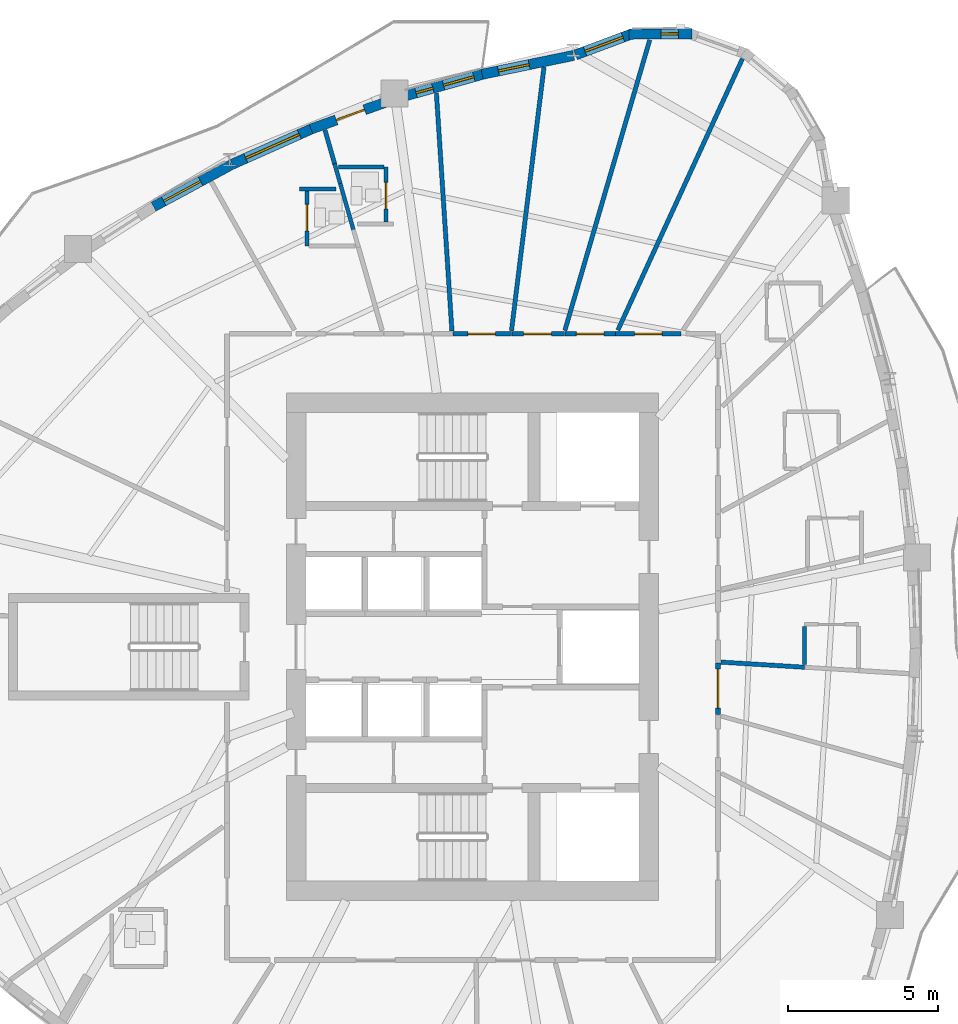
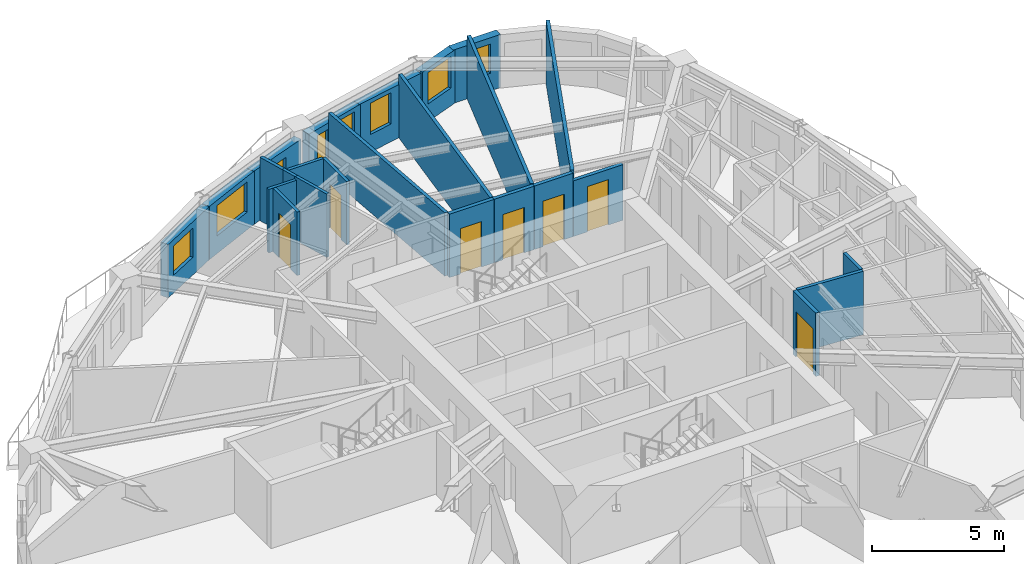
# One storey, part 9 of 17: 25 walls, 8 doors, 7 windows, 15 openings.
"""IFC4 building model written with IfcOpenShell, lengths in metres."""

from ifc_helpers import new_model, si_unit, direction, frame, frame_2d, origin, place, context, subcontext, project, spatial, rectangle, extrude, source, transform, mapped, material, layer, layer_set, type_object, element, fill, save


model = new_model("IFC4")

# Units and contexts
model_context = context("Model", 3, precision=1e-05, world=origin(), true_north=direction((0.0, 1.0)))
body_context = subcontext(model_context, "Body", "Model", "MODEL_VIEW")
ifc_project = project(units=[si_unit("LENGTHUNIT", "METRE"), si_unit("AREAUNIT", "SQUARE_METRE"), si_unit("VOLUMEUNIT", "CUBIC_METRE"), si_unit("PLANEANGLEUNIT", "RADIAN"), si_unit("MASSUNIT", "GRAM", prefix="KILO")], contexts=[model_context])

# Site, building, storey
site_placement = place(None, origin())
site = spatial("IfcSite", under=ifc_project, at=site_placement, CompositionType="ELEMENT")
building_placement = place(site_placement, origin())
building = spatial("IfcBuilding", under=site, at=building_placement, Name="Qafzar Sky-Pleat Residences", CompositionType="ELEMENT")
storey_placement = place(building_placement, frame((0.0, 0.0, 112.0)))
storey = spatial("IfcBuildingStorey", under=building, at=storey_placement, Name="L33", CompositionType="ELEMENT", Elevation=112.0)

# Wall, opening, door
ifc_material_1 = material(Name="Acoustic gypsum plasterboard partition", Category="gypsum")
ifc_layer_1 = layer(ifc_material_1, 0.159912109375)
ifc_layer_set_1 = layer_set([ifc_layer_1], Name="Acoustic gypsum plasterboard partition")
wall_type_1 = type_object("IfcWallType", Name="PART-COR-160", PredefinedType="PARTITIONING", material=ifc_layer_set_1)
wall_1_placement = place(storey_placement, frame((35.12109375, 36.429931640625, 0.0), z_axis=(0.0, 0.0, 1.0), x_axis=(1.0, 0.0, 0.0)))
wall_1 = element("IfcWall", 1, at=wall_1_placement, inside=storey, type_object=wall_type_1, Name="L33 Partition Wall PART-L33-PW-016", PredefinedType="PARTITIONING", context=body_context, shape_type="SweptSolid", body=[
    extrude(rectangle(XDim=2.178955078125, YDim=0.159912109375, at=frame_2d((1.08935546875, 0.0))), origin(), (0.0, 0.0, 1.0), 2.572998046875),
])
opening_1_placement = place(wall_1_placement, frame((0.62841796875, 0.0, 0.0)))
opening_1 = element("IfcOpeningElement", 2, at=opening_1_placement, cuts=wall_1, Name="Opening ID-04", PredefinedType="OPENING", context=body_context, shape_type="SweptSolid", body=[
    extrude(rectangle(XDim=0.919921875, YDim=2.10009765625, at=frame_2d((0.4599609375, 1.050048828125))), frame((0.0, 0.08984375, 0.0), z_axis=(0.0, -1.0, 0.0), x_axis=(1.0, 0.0, 0.0)), (0.0, 0.0, 1.0), 0.179931640625),
])
ifc_material_2 = material(Name="Timber-faced fire door", Category="wood")
door_type_1 = type_object("IfcDoorType", Name="DR-BED-920", OperationType="NOTDEFINED", PredefinedType="DOOR", material=ifc_material_2)
shared_shape_1 = source(origin(), body_context, "Body", "SweptSolid", [
    extrude(rectangle(XDim=0.919921875, YDim=2.10009765625, at=frame_2d((0.4599609375, 1.050048828125))), frame((0.0, 0.02490234375, 0.0), z_axis=(0.0, -1.0, 0.0), x_axis=(1.0, 0.0, 0.0)), (0.0, 0.0, 1.0), 0.050048828125),
])
door_1_placement = place(opening_1_placement, origin())
door_1 = element("IfcDoor", 3, at=door_1_placement, inside=storey, type_object=door_type_1, Name="L33 Co-Living Bedroom 2 Door", OperationType="SINGLE_SWING_LEFT", OverallHeight=2.10009765625, OverallWidth=0.919921875, PredefinedType="DOOR", context=body_context, shape_type="MappedRepresentation", body=[
    mapped(shared_shape_1, transform((0.0, 0.0, 0.0), x_axis=(1.0, 0.0, 0.0), y_axis=(0.0, 1.0, 0.0), z_axis=(0.0, 0.0, 1.0), scale=1.0)),
])
fill(opening_1, door_1)

wall_2_placement = place(storey_placement, frame((29.699951171875, 36.429931640625, 0.0), z_axis=(0.0, 0.0, 1.0), x_axis=(1.0, 0.0, 0.0)))
wall_2 = element("IfcWall", 4, at=wall_2_placement, inside=storey, type_object=wall_type_1, Name="L33 Partition Wall PART-L33-PW-018", PredefinedType="PARTITIONING", context=body_context, shape_type="SweptSolid", body=[
    extrude(rectangle(XDim=1.950927734375, YDim=0.159912109375, at=frame_2d((0.9755859375, 0.0))), origin(), (0.0, 0.0, 1.0), 2.93505859375),
])
opening_2_placement = place(wall_2_placement, frame((0.492919921875, 0.0, 0.0)))
opening_2 = element("IfcOpeningElement", 5, at=opening_2_placement, cuts=wall_2, Name="Opening ID-04", PredefinedType="OPENING", context=body_context, shape_type="SweptSolid", body=[
    extrude(rectangle(XDim=0.919921875, YDim=2.10009765625, at=frame_2d((0.4599609375, 1.050048828125))), frame((0.0, 0.08984375, 0.0), z_axis=(0.0, -1.0, 0.0), x_axis=(1.0, 0.0, 0.0)), (0.0, 0.0, 1.0), 0.179931640625),
])
door_2_placement = place(opening_2_placement, origin())
door_2 = element("IfcDoor", 6, at=door_2_placement, inside=storey, type_object=door_type_1, Name="L33 Co-Living Bedroom 3 Door", OperationType="SINGLE_SWING_RIGHT", OverallHeight=2.10009765625, OverallWidth=0.919921875, PredefinedType="DOOR", context=body_context, shape_type="MappedRepresentation", body=[
    mapped(shared_shape_1, transform((0.0, 0.0, 0.0), x_axis=(1.0, 0.0, 0.0), y_axis=(0.0, 1.0, 0.0), z_axis=(0.0, 0.0, 1.0), scale=1.0)),
])
fill(opening_2, door_2)

wall_3_placement = place(storey_placement, frame((31.666015625, 36.429931640625, 0.0), z_axis=(0.0, 0.0, 1.0), x_axis=(1.0, 0.0, 0.0)))
wall_3 = element("IfcWall", 7, at=wall_3_placement, inside=storey, type_object=wall_type_1, Name="L33 Partition Wall PART-L33-PW-028", PredefinedType="PARTITIONING", context=body_context, shape_type="SweptSolid", body=[
    extrude(rectangle(XDim=1.744873046875, YDim=0.159912109375, at=frame_2d((0.87255859375, 0.0))), origin(), (0.0, 0.0, 1.0), 2.93505859375),
])
opening_3_placement = place(wall_3_placement, frame((0.389404296875, 0.0, 0.0)))
opening_3 = element("IfcOpeningElement", 8, at=opening_3_placement, cuts=wall_3, Name="Opening ID-04", PredefinedType="OPENING", context=body_context, shape_type="SweptSolid", body=[
    extrude(rectangle(XDim=0.919921875, YDim=2.10009765625, at=frame_2d((0.4599609375, 1.050048828125))), frame((0.0, 0.08984375, 0.0), z_axis=(0.0, -1.0, 0.0), x_axis=(1.0, 0.0, 0.0)), (0.0, 0.0, 1.0), 0.179931640625),
])
door_3_placement = place(opening_3_placement, origin())
door_3 = element("IfcDoor", 9, at=door_3_placement, inside=storey, type_object=door_type_1, Name="L33 Co-Living Bedroom 4 Door", OperationType="SINGLE_SWING_RIGHT", OverallHeight=2.10009765625, OverallWidth=0.919921875, PredefinedType="DOOR", context=body_context, shape_type="MappedRepresentation", body=[
    mapped(shared_shape_1, transform((0.0, 0.0, 0.0), x_axis=(1.0, 0.0, 0.0), y_axis=(0.0, 1.0, 0.0), z_axis=(0.0, 0.0, 1.0), scale=1.0)),
])
fill(opening_3, door_3)

wall_4_placement = place(storey_placement, frame((38.530029296875, 25.468017578125, 0.0), z_axis=(0.0, 0.0, 1.0), x_axis=(0.0, -1.0, 0.0)))
wall_4 = element("IfcWall", 10, at=wall_4_placement, inside=storey, type_object=wall_type_1, Name="L33 Partition Wall PART-L33-PW-029", PredefinedType="PARTITIONING", context=body_context, shape_type="SweptSolid", body=[
    extrude(rectangle(XDim=1.716064453125, YDim=0.159912109375, at=frame_2d((0.85791015625, 0.0))), origin(), (0.0, 0.0, 1.0), 2.93505859375),
])
opening_4_placement = place(wall_4_placement, frame((0.20849609375, 0.0, 0.0)))
opening_4 = element("IfcOpeningElement", 11, at=opening_4_placement, cuts=wall_4, Name="Opening ID-05", PredefinedType="OPENING", context=body_context, shape_type="SweptSolid", body=[
    extrude(rectangle(XDim=1.300048828125, YDim=2.10009765625, at=frame_2d((0.64990234375, 1.050048828125))), frame((0.0, 0.08984375, 0.0), z_axis=(0.0, -1.0, 0.0), x_axis=(1.0, 0.0, 0.0)), (0.0, 0.0, 1.0), 0.179931640625),
])
door_type_2 = type_object("IfcDoorType", Name="DR-LNG-1300", OperationType="DOUBLE_DOOR_SINGLE_SWING", PredefinedType="DOOR", material=ifc_material_2)
shared_shape_2 = source(origin(), body_context, "Body", "SweptSolid", [
    extrude(rectangle(XDim=1.300048828125, YDim=2.10009765625, at=frame_2d((0.64990234375, 1.050048828125))), frame((0.0, 0.02490234375, 0.0), z_axis=(0.0, -1.0, 0.0), x_axis=(1.0, 0.0, 0.0)), (0.0, 0.0, 1.0), 0.050048828125),
])
door_4_placement = place(opening_4_placement, origin())
door_4 = element("IfcDoor", 12, at=door_4_placement, inside=storey, type_object=door_type_2, Name="L33 Scholar Study Room Door", OperationType="DOUBLE_DOOR_SINGLE_SWING", OverallHeight=2.10009765625, OverallWidth=1.300048828125, PredefinedType="DOOR", context=body_context, shape_type="MappedRepresentation", body=[
    mapped(shared_shape_2, transform((0.0, 0.0, 0.0), x_axis=(1.0, 0.0, 0.0), y_axis=(0.0, 1.0, 0.0), z_axis=(0.0, 0.0, 1.0), scale=1.0)),
])
fill(opening_4, door_4)

wall_5_placement = place(storey_placement, frame((33.426025390625, 36.429931640625, 0.0), z_axis=(0.0, 0.0, 1.0), x_axis=(1.0, 0.0, 0.0)))
wall_5 = element("IfcWall", 13, at=wall_5_placement, inside=storey, type_object=wall_type_1, Name="L33 Partition Wall PART-L33-PW-030", PredefinedType="PARTITIONING", context=body_context, shape_type="SweptSolid", body=[
    extrude(rectangle(XDim=1.679931640625, YDim=0.159912109375, at=frame_2d((0.83984375, 0.0))), origin(), (0.0, 0.0, 1.0), 2.93505859375),
])
opening_5_placement = place(wall_5_placement, frame((0.3798828125, 0.0, 0.0)))
opening_5 = element("IfcOpeningElement", 14, at=opening_5_placement, cuts=wall_5, Name="Opening ID-04", PredefinedType="OPENING", context=body_context, shape_type="SweptSolid", body=[
    extrude(rectangle(XDim=0.919921875, YDim=2.10009765625, at=frame_2d((0.4599609375, 1.050048828125))), frame((0.0, 0.08984375, 0.0), z_axis=(0.0, -1.0, 0.0), x_axis=(1.0, 0.0, 0.0)), (0.0, 0.0, 1.0), 0.179931640625),
])
door_5_placement = place(opening_5_placement, origin())
door_5 = element("IfcDoor", 15, at=door_5_placement, inside=storey, type_object=door_type_1, Name="L33 Co-Living Bedroom 1 Door", OperationType="SINGLE_SWING_LEFT", OverallHeight=2.10009765625, OverallWidth=0.919921875, PredefinedType="DOOR", context=body_context, shape_type="MappedRepresentation", body=[
    mapped(shared_shape_1, transform((0.0, 0.0, 0.0), x_axis=(1.0, 0.0, 0.0), y_axis=(0.0, 1.0, 0.0), z_axis=(0.0, 0.0, 1.0), scale=1.0)),
])
fill(opening_5, door_5)

# Walls
ifc_layer_2 = layer(ifc_material_1, 0.14501953125)
ifc_layer_set_2 = layer_set([ifc_layer_2], Name="Acoustic gypsum plasterboard partition")
wall_type_2 = type_object("IfcWallType", Name="PART-UNIT-145", PredefinedType="PARTITIONING", material=ifc_layer_set_2)
wall_6_placement = place(storey_placement, frame((33.426513671875, 36.5380859375, 0.0), z_axis=(0.0, 0.0, 1.0), x_axis=(0.280326379037, 0.959904745908, 0.0)))
element("IfcWall", 16, at=wall_6_placement, inside=storey, type_object=wall_type_2, Name="L33 Partition Wall PART-L33-PW-032", PredefinedType="PARTITIONING", context=body_context, shape_type="SweptSolid", body=[
    extrude(rectangle(XDim=10.081787109375, YDim=0.14501953125, at=frame_2d((5.041015625, 0.0))), origin(), (0.0, 0.0, 1.0), 2.93505859375),
])
wall_7_placement = place(storey_placement, frame((35.19091796875, 36.547607421875, 0.0), z_axis=(0.0, 0.0, 1.0), x_axis=(0.417154036681, 0.908835799075, 0.0)))
element("IfcWall", 17, at=wall_7_placement, inside=storey, type_object=wall_type_2, Name="L33 Partition Wall PART-L33-PW-033", PredefinedType="PARTITIONING", context=body_context, shape_type="SweptSolid", body=[
    extrude(rectangle(XDim=9.94873046875, YDim=0.14501953125, at=frame_2d((4.974365234375, 0.0))), origin(), (0.0, 0.0, 1.0), 2.93505859375),
])
wall_8_placement = place(storey_placement, frame((31.64794921875, 36.52685546875, 0.0), z_axis=(0.0, 0.0, 1.0), x_axis=(0.122371290087, 0.992484391496, 0.0)))
element("IfcWall", 18, at=wall_8_placement, inside=storey, type_object=wall_type_2, Name="L33 Partition Wall PART-L33-PW-035", PredefinedType="PARTITIONING", context=body_context, shape_type="SweptSolid", body=[
    extrude(rectangle(XDim=8.852294921875, YDim=0.14501953125, at=frame_2d((4.42626953125, 0.0))), origin(), (0.0, 0.0, 1.0), 2.93505859375),
])
wall_9_placement = place(storey_placement, frame((29.147216796875, 44.443603515625, 0.0), z_axis=(0.0, 0.0, 1.0), x_axis=(0.065112427166, -0.997877934333, 0.0)))
element("IfcWall", 19, at=wall_9_placement, inside=storey, type_object=wall_type_2, Name="L33 Partition Wall PART-L33-PW-039", PredefinedType="PARTITIONING", context=body_context, shape_type="SweptSolid", body=[
    extrude(rectangle(XDim=7.937744140625, YDim=0.14501953125, at=frame_2d((3.96875, 0.0))), origin(), (0.0, 0.0, 1.0), 2.93505859375),
])
wall_10_placement = place(storey_placement, frame((38.622314453125, 25.4921875, 0.0), z_axis=(0.0, 0.0, 1.0), x_axis=(0.998116736368, -0.061343138015, 0.0)))
element("IfcWall", 20, at=wall_10_placement, inside=storey, type_object=wall_type_2, Name="L33 Partition Wall PART-L33-PW-053", PredefinedType="PARTITIONING", context=body_context, shape_type="SweptSolid", body=[
    extrude(rectangle(XDim=2.7900390625, YDim=0.14501953125, at=frame_2d((1.39501953125, 0.0))), origin(), (0.0, 0.0, 1.0), 2.93505859375),
])
wall_11_placement = place(storey_placement, frame((25.433349609375, 43.221923828125, 0.0), z_axis=(0.0, 0.0, 1.0), x_axis=(0.274641170969, -0.961546788882, 0.0)))
element("IfcWall", 21, at=wall_11_placement, inside=storey, type_object=wall_type_2, Name="L33 Partition Wall PART-L33-PW-078", PredefinedType="PARTITIONING", context=body_context, shape_type="SweptSolid", body=[
    extrude(rectangle(XDim=1.2099609375, YDim=0.14501953125, at=frame_2d((0.60498046875, 0.0))), origin(), (0.0, 0.0, 1.0), 2.93505859375),
])

# Wall, opening, door
ifc_material_3 = material(Name="Moisture-resistant gypsum partition", Category="gypsum")
ifc_layer_3 = layer(ifc_material_3, 0.1298828125)
ifc_layer_set_3 = layer_set([ifc_layer_3], Name="Moisture-resistant gypsum partition")
wall_type_3 = type_object("IfcWallType", Name="PART-WET-130", PredefinedType="PARTITIONING", material=ifc_layer_set_3)
wall_12_placement = place(storey_placement, frame((24.8310546875, 41.177978515625, 0.0), z_axis=(0.0, 0.0, 1.0), x_axis=(0.0, -1.0, 0.0)))
wall_12 = element("IfcWall", 22, at=wall_12_placement, inside=storey, type_object=wall_type_3, Name="L33 Partition Wall PART-L33-PW-022", PredefinedType="PARTITIONING", context=body_context, shape_type="SweptSolid", body=[
    extrude(rectangle(XDim=1.826904296875, YDim=0.1298828125, at=frame_2d((0.91357421875, 0.0))), origin(), (0.0, 0.0, 1.0), 2.93505859375),
])
opening_6_placement = place(wall_12_placement, frame((0.43701171875, 0.0, 0.0)))
opening_6 = element("IfcOpeningElement", 23, at=opening_6_placement, cuts=wall_12, Name="Opening ID-07", PredefinedType="OPENING", context=body_context, shape_type="SweptSolid", body=[
    extrude(rectangle(XDim=0.8798828125, YDim=2.050048828125, at=frame_2d((0.43994140625, 1.02490234375))), frame((0.0, 0.074951171875, 0.0), z_axis=(0.0, -1.0, 0.0), x_axis=(1.0, 0.0, 0.0)), (0.0, 0.0, 1.0), 0.14990234375),
])
door_type_3 = type_object("IfcDoorType", Name="DR-WET-880", OperationType="NOTDEFINED", PredefinedType="DOOR", material=ifc_material_2)
shared_shape_3 = source(origin(), body_context, "Body", "SweptSolid", [
    extrude(rectangle(XDim=0.8798828125, YDim=2.050048828125, at=frame_2d((0.43994140625, 1.02490234375))), frame((0.0, 0.02490234375, 0.0), z_axis=(0.0, -1.0, 0.0), x_axis=(1.0, 0.0, 0.0)), (0.0, 0.0, 1.0), 0.050048828125),
])
door_6_placement = place(opening_6_placement, origin())
door_6 = element("IfcDoor", 24, at=door_6_placement, inside=storey, type_object=door_type_3, Name="L33 En-suite Bathroom 5 Door", OperationType="SINGLE_SWING_RIGHT", OverallHeight=2.050048828125, OverallWidth=0.8798828125, PredefinedType="DOOR", context=body_context, shape_type="MappedRepresentation", body=[
    mapped(shared_shape_3, transform((0.0, 0.0, 0.0), x_axis=(1.0, 0.0, 0.0), y_axis=(0.0, 1.0, 0.0), z_axis=(0.0, 0.0, 1.0), scale=1.0)),
])
fill(opening_6, door_6)

wall_13_placement = place(storey_placement, frame((27.469970703125, 40.154052734375, 0.0), z_axis=(0.0, 0.0, 1.0), x_axis=(0.0, 1.0, 0.0)))
wall_13 = element("IfcWall", 25, at=wall_13_placement, inside=storey, type_object=wall_type_3, Name="L33 Partition Wall PART-L33-PW-023", PredefinedType="PARTITIONING", context=body_context, shape_type="SweptSolid", body=[
    extrude(rectangle(XDim=1.826904296875, YDim=0.1298828125, at=frame_2d((0.91357421875, 0.0))), origin(), (0.0, 0.0, 1.0), 2.93505859375),
])
opening_7_placement = place(wall_13_placement, frame((0.43701171875, 0.0, 0.0)))
opening_7 = element("IfcOpeningElement", 26, at=opening_7_placement, cuts=wall_13, Name="Opening ID-07", PredefinedType="OPENING", context=body_context, shape_type="SweptSolid", body=[
    extrude(rectangle(XDim=0.8798828125, YDim=2.050048828125, at=frame_2d((0.43994140625, 1.02490234375))), frame((0.0, 0.074951171875, 0.0), z_axis=(0.0, -1.0, 0.0), x_axis=(1.0, 0.0, 0.0)), (0.0, 0.0, 1.0), 0.14990234375),
])
door_7_placement = place(opening_7_placement, origin())
door_7 = element("IfcDoor", 27, at=door_7_placement, inside=storey, type_object=door_type_3, Name="L33 En-suite Bathroom 6 Door", OperationType="SINGLE_SWING_LEFT", OverallHeight=2.050048828125, OverallWidth=0.8798828125, PredefinedType="DOOR", context=body_context, shape_type="MappedRepresentation", body=[
    mapped(shared_shape_3, transform((0.0, 0.0, 0.0), x_axis=(1.0, 0.0, 0.0), y_axis=(0.0, 1.0, 0.0), z_axis=(0.0, 0.0, 1.0), scale=1.0)),
])
fill(opening_7, door_7)

# Walls
wall_14_placement = place(storey_placement, frame((25.882080078125, 41.98095703125, 0.0), z_axis=(0.0, 0.0, 1.0), x_axis=(1.0, 0.0, 0.0)))
element("IfcWall", 28, at=wall_14_placement, inside=storey, type_object=wall_type_3, Name="L33 Partition Wall PART-L33-PW-068", PredefinedType="PARTITIONING", context=body_context, shape_type="SweptSolid", body=[
    extrude(rectangle(XDim=1.514892578125, YDim=0.1298828125, at=frame_2d((0.75732421875, 0.0))), origin(), (0.0, 0.0, 1.0), 2.93505859375),
])
wall_15_placement = place(storey_placement, frame((41.406982421875, 25.405517578125, 0.0), z_axis=(0.0, 0.0, 1.0), x_axis=(0.0, 1.0, 0.0)))
element("IfcWall", 29, at=wall_15_placement, inside=storey, type_object=wall_type_3, Name="L33 Partition Wall PART-L33-PW-074", PredefinedType="PARTITIONING", context=body_context, shape_type="SweptSolid", body=[
    extrude(rectangle(XDim=1.2744140625, YDim=0.1298828125, at=frame_2d((0.63720703125, 0.0))), origin(), (0.0, 0.0, 1.0), 2.93505859375),
])
wall_16_placement = place(storey_placement, frame((25.93017578125, 41.481689453125, 0.0), z_axis=(0.0, 0.0, 1.0), x_axis=(0.274344452215, -0.961631489469, 0.0)))
element("IfcWall", 30, at=wall_16_placement, inside=storey, type_object=wall_type_3, Name="L33 Partition Wall PART-L33-PW-080", PredefinedType="PARTITIONING", context=body_context, shape_type="SweptSolid", body=[
    extrude(rectangle(XDim=1.712158203125, YDim=0.1298828125, at=frame_2d((0.85595703125, 0.0))), origin(), (0.0, 0.0, 1.0), 2.93505859375),
])
wall_17_placement = place(storey_placement, frame((24.591064453125, 41.2509765625, 0.0), z_axis=(0.0, 0.0, 1.0), x_axis=(1.0, 0.0, 0.0)))
element("IfcWall", 31, at=wall_17_placement, inside=storey, type_object=wall_type_3, Name="L33 Partition Wall PART-L33-PW-084", PredefinedType="PARTITIONING", context=body_context, shape_type="SweptSolid", body=[
    extrude(rectangle(XDim=1.21484375, YDim=0.1298828125, at=frame_2d((0.607421875, 0.0))), origin(), (0.0, 0.0, 1.0), 2.93505859375),
])
wall_18_placement = place(storey_placement, frame((25.754638671875, 42.09912109375, 0.0), z_axis=(0.0, 0.0, 1.0), x_axis=(0.273881956808, -0.961763314821, 0.0)))
element("IfcWall", 32, at=wall_18_placement, inside=storey, type_object=wall_type_3, Name="L33 Partition Wall PART-L33-PW-090", PredefinedType="PARTITIONING", context=body_context, shape_type="SweptSolid", body=[
    extrude(rectangle(XDim=0.691650390625, YDim=0.1298828125, at=frame_2d((0.345703125, 0.0))), origin(), (0.0, 0.0, 1.0), 2.93505859375),
])

# Wall, opening, window
ifc_material_4 = material(Name="Precast concrete C40/50 with honed Riyadh limestone", Category="concrete")
ifc_layer_4 = layer(ifc_material_4, 0.340087890625)
ifc_layer_set_4 = layer_set([ifc_layer_4], Name="Precast concrete C40/50 with honed Riyadh limestone")
wall_type_4 = type_object("IfcWallType", Name="WALL-EXT-340", PredefinedType="SOLIDWALL", material=ifc_layer_set_4)
wall_19_placement = place(storey_placement, frame((37.66162109375, 46.423583984375, 0.0), z_axis=(0.0, 0.0, 1.0), x_axis=(-0.999976456891, -0.00686189939, 0.0)))
wall_19 = element("IfcWall", 33, at=wall_19_placement, inside=storey, type_object=wall_type_4, Name="L33 Limestone Facade Wall 37", PredefinedType="SOLIDWALL", context=body_context, shape_type="SweptSolid", body=[
    extrude(rectangle(XDim=2.09912109375, YDim=0.340087890625, at=frame_2d((1.049560546875, 0.0))), origin(), (0.0, 0.0, 1.0), 2.465087890625),
])
opening_8_placement = place(wall_19_placement, frame((0.45751953125, 0.0, 0.820068359375)))
opening_8 = element("IfcOpeningElement", 34, at=opening_8_placement, cuts=wall_19, Name="Opening WN-17", PredefinedType="OPENING", context=body_context, shape_type="SweptSolid", body=[
    extrude(rectangle(XDim=0.580078125, YDim=1.35009765625, at=frame_2d((0.2900390625, 0.675048828125))), frame((0.0, 0.18017578125, 0.0), z_axis=(0.0, -1.0, 0.0), x_axis=(1.0, 0.0, 0.0)), (0.0, 0.0, 1.0), 0.360107421875),
])
ifc_material_5 = material(Name="Solar-control low-E glass in bronze aluminium frame", Category="glass")
window_type_1 = type_object("IfcWindowType", Name="WIN-17", PartitioningType="SINGLE_PANEL", PredefinedType="WINDOW", material=ifc_material_5)
shared_shape_4 = source(origin(), body_context, "Body", "SweptSolid", [
    extrude(rectangle(XDim=0.580078125, YDim=1.35009765625, at=frame_2d((0.2900390625, 0.675048828125))), frame((0.0, 0.030029296875, 0.0), z_axis=(0.0, -1.0, 0.0), x_axis=(1.0, 0.0, 0.0)), (0.0, 0.0, 1.0), 0.06005859375),
])
window_1_placement = place(opening_8_placement, origin())
window_1 = element("IfcWindow", 35, at=window_1_placement, inside=storey, type_object=window_type_1, Name="L33 Punched Facade Window 37", OverallHeight=1.35009765625, OverallWidth=0.580078125, PartitioningType="SINGLE_PANEL", PredefinedType="WINDOW", context=body_context, shape_type="MappedRepresentation", body=[
    mapped(shared_shape_4, transform((0.0, 0.0, 0.0), x_axis=(1.0, 0.0, 0.0), y_axis=(0.0, 1.0, 0.0), z_axis=(0.0, 0.0, 1.0), scale=1.0)),
])
fill(opening_8, window_1)

wall_20_placement = place(storey_placement, frame((35.694580078125, 46.43359375, 0.0), z_axis=(0.0, 0.0, 1.0), x_axis=(-0.9368002254, -0.349864741994, 0.0)))
wall_20 = element("IfcWall", 36, at=wall_20_placement, inside=storey, type_object=wall_type_4, Name="L33 Limestone Facade Wall 38", PredefinedType="SOLIDWALL", context=body_context, shape_type="SweptSolid", body=[
    extrude(rectangle(XDim=2.041015625, YDim=0.340087890625, at=frame_2d((1.0205078125, 0.0))), origin(), (0.0, 0.0, 1.0), 2.465087890625),
])
opening_9_placement = place(wall_20_placement, frame((0.35546875, 0.0, 0.820068359375)))
opening_9 = element("IfcOpeningElement", 37, at=opening_9_placement, cuts=wall_20, Name="Opening WN-04", PredefinedType="OPENING", context=body_context, shape_type="SweptSolid", body=[
    extrude(rectangle(XDim=1.35009765625, YDim=1.449951171875, at=frame_2d((0.675048828125, 0.72509765625))), frame((0.0, 0.18017578125, 0.0), z_axis=(0.0, -1.0, 0.0), x_axis=(1.0, 0.0, 0.0)), (0.0, 0.0, 1.0), 0.360107421875),
])
window_type_2 = type_object("IfcWindowType", Name="WIN-04", PartitioningType="SINGLE_PANEL", PredefinedType="WINDOW", material=ifc_material_5)
shared_shape_5 = source(origin(), body_context, "Body", "SweptSolid", [
    extrude(rectangle(XDim=1.35009765625, YDim=1.449951171875, at=frame_2d((0.675048828125, 0.72509765625))), frame((0.0, 0.030029296875, 0.0), z_axis=(0.0, -1.0, 0.0), x_axis=(1.0, 0.0, 0.0)), (0.0, 0.0, 1.0), 0.06005859375),
])
window_2_placement = place(opening_9_placement, origin())
window_2 = element("IfcWindow", 38, at=window_2_placement, inside=storey, type_object=window_type_2, Name="L33 Punched Facade Window 38", OverallHeight=1.449951171875, OverallWidth=1.35009765625, PartitioningType="SINGLE_PANEL", PredefinedType="WINDOW", context=body_context, shape_type="MappedRepresentation", body=[
    mapped(shared_shape_5, transform((0.0, 0.0, 0.0), x_axis=(1.0, 0.0, 0.0), y_axis=(0.0, 1.0, 0.0), z_axis=(0.0, 0.0, 1.0), scale=1.0)),
])
fill(opening_9, window_2)

wall_21_placement = place(storey_placement, frame((33.718994140625, 45.701171875, 0.0), z_axis=(0.0, 0.0, 1.0), x_axis=(-0.979417849231, -0.201843198072, 0.0)))
wall_21 = element("IfcWall", 39, at=wall_21_placement, inside=storey, type_object=wall_type_4, Name="L33 Limestone Facade Wall 39", PredefinedType="SOLIDWALL", context=body_context, shape_type="SweptSolid", body=[
    extrude(rectangle(XDim=3.11328125, YDim=0.340087890625, at=frame_2d((1.556640625, 0.0))), origin(), (0.0, 0.0, 1.0), 2.465087890625),
])
opening_10_placement = place(wall_21_placement, frame((1.510986328125, 0.0, 0.820068359375)))
opening_10 = element("IfcOpeningElement", 40, at=opening_10_placement, cuts=wall_21, Name="Opening WN-06", PredefinedType="OPENING", context=body_context, shape_type="SweptSolid", body=[
    extrude(rectangle(XDim=1.050048828125, YDim=1.449951171875, at=frame_2d((0.52490234375, 0.72509765625))), frame((0.0, 0.18017578125, 0.0), z_axis=(0.0, -1.0, 0.0), x_axis=(1.0, 0.0, 0.0)), (0.0, 0.0, 1.0), 0.360107421875),
])
window_type_3 = type_object("IfcWindowType", Name="WIN-06", PartitioningType="SINGLE_PANEL", PredefinedType="WINDOW", material=ifc_material_5)
shared_shape_6 = source(origin(), body_context, "Body", "SweptSolid", [
    extrude(rectangle(XDim=1.050048828125, YDim=1.449951171875, at=frame_2d((0.52490234375, 0.72509765625))), frame((0.0, 0.030029296875, 0.0), z_axis=(0.0, -1.0, 0.0), x_axis=(1.0, 0.0, 0.0)), (0.0, 0.0, 1.0), 0.06005859375),
])
window_3_placement = place(opening_10_placement, origin())
window_3 = element("IfcWindow", 41, at=window_3_placement, inside=storey, type_object=window_type_3, Name="L33 Punched Facade Window 39-2", OverallHeight=1.449951171875, OverallWidth=1.050048828125, PartitioningType="SINGLE_PANEL", PredefinedType="WINDOW", context=body_context, shape_type="MappedRepresentation", body=[
    mapped(shared_shape_6, transform((0.0, 0.0, 0.0), x_axis=(1.0, 0.0, 0.0), y_axis=(0.0, 1.0, 0.0), z_axis=(0.0, 0.0, 1.0), scale=1.0)),
])
fill(opening_10, window_3)

# Wall, openings, windows
wall_22_placement = place(storey_placement, frame((30.7548828125, 45.093505859375, 0.0), z_axis=(0.0, 0.0, 1.0), x_axis=(-0.963040794714, -0.269355578589, 0.0)))
wall_22 = element("IfcWall", 42, at=wall_22_placement, inside=storey, type_object=wall_type_4, Name="L33 Limestone Facade Wall 40", PredefinedType="SOLIDWALL", context=body_context, shape_type="SweptSolid", body=[
    extrude(rectangle(XDim=2.8388671875, YDim=0.340087890625, at=frame_2d((1.41943359375, 0.0))), origin(), (0.0, 0.0, 1.0), 2.465087890625),
])
opening_11_placement = place(wall_22_placement, frame((0.373046875, 0.0, 0.820068359375)))
opening_11 = element("IfcOpeningElement", 43, at=opening_11_placement, cuts=wall_22, Name="Opening WN-06", PredefinedType="OPENING", context=body_context, shape_type="SweptSolid", body=[
    extrude(rectangle(XDim=1.050048828125, YDim=1.449951171875, at=frame_2d((0.52490234375, 0.72509765625))), frame((0.0, 0.18017578125, 0.0), z_axis=(0.0, -1.0, 0.0), x_axis=(1.0, 0.0, 0.0)), (0.0, 0.0, 1.0), 0.360107421875),
])
opening_12_placement = place(wall_22_placement, frame((1.79248046875, 0.0, 0.820068359375)))
opening_12 = element("IfcOpeningElement", 44, at=opening_12_placement, cuts=wall_22, Name="Opening WN-17", PredefinedType="OPENING", context=body_context, shape_type="SweptSolid", body=[
    extrude(rectangle(XDim=0.580078125, YDim=1.35009765625, at=frame_2d((0.2900390625, 0.675048828125))), frame((0.0, 0.18017578125, 0.0), z_axis=(0.0, -1.0, 0.0), x_axis=(1.0, 0.0, 0.0)), (0.0, 0.0, 1.0), 0.360107421875),
])
window_4_placement = place(opening_12_placement, origin())
window_4 = element("IfcWindow", 45, at=window_4_placement, inside=storey, type_object=window_type_1, Name="L33 Punched Facade Window 40-2", OverallHeight=1.35009765625, OverallWidth=0.580078125, PartitioningType="SINGLE_PANEL", PredefinedType="WINDOW", context=body_context, shape_type="MappedRepresentation", body=[
    mapped(shared_shape_4, transform((0.0, 0.0, 0.0), x_axis=(1.0, 0.0, 0.0), y_axis=(0.0, 1.0, 0.0), z_axis=(0.0, 0.0, 1.0), scale=1.0)),
])
fill(opening_12, window_4)
window_5_placement = place(opening_11_placement, origin())
window_5 = element("IfcWindow", 46, at=window_5_placement, inside=storey, type_object=window_type_3, Name="L33 Punched Facade Window 40", OverallHeight=1.449951171875, OverallWidth=1.050048828125, PartitioningType="SINGLE_PANEL", PredefinedType="WINDOW", context=body_context, shape_type="MappedRepresentation", body=[
    mapped(shared_shape_6, transform((0.0, 0.0, 0.0), x_axis=(1.0, 0.0, 0.0), y_axis=(0.0, 1.0, 0.0), z_axis=(0.0, 0.0, 1.0), scale=1.0)),
])
fill(opening_11, window_5)

# Wall, opening, door
wall_23_placement = place(storey_placement, frame((27.5947265625, 44.19287109375, 0.0), z_axis=(0.0, 0.0, 1.0), x_axis=(-0.94107471628, -0.338198726163, 0.0)))
wall_23 = element("IfcWall", 47, at=wall_23_placement, inside=storey, type_object=wall_type_4, Name="L33 Limestone Facade Wall 41", PredefinedType="SOLIDWALL", context=body_context, shape_type="SweptSolid", body=[
    extrude(rectangle(XDim=2.789306640625, YDim=0.340087890625, at=frame_2d((1.39453125, 0.0))), origin(), (0.0, 0.0, 1.0), 2.465087890625),
])
opening_13_placement = place(wall_23_placement, frame((0.894775390625, 0.0, 0.0)))
opening_13 = element("IfcOpeningElement", 48, at=opening_13_placement, cuts=wall_23, Name="Opening ED-05", PredefinedType="OPENING", context=body_context, shape_type="SweptSolid", body=[
    extrude(rectangle(XDim=1.0, YDim=2.10009765625, at=frame_2d((0.5, 1.050048828125))), frame((0.0, 0.18017578125, 0.0), z_axis=(0.0, -1.0, 0.0), x_axis=(1.0, 0.0, 0.0)), (0.0, 0.0, 1.0), 0.360107421875),
])
ifc_material_6 = material(Name="Glazed bronze aluminium door", Category="aluminium")
door_type_4 = type_object("IfcDoorType", Name="DR-BAL-1000", OperationType="NOTDEFINED", PredefinedType="DOOR", material=ifc_material_6)
shared_shape_7 = source(origin(), body_context, "Body", "SweptSolid", [
    extrude(rectangle(XDim=1.0, YDim=2.10009765625, at=frame_2d((0.5, 1.050048828125))), frame((0.0, 0.02490234375, 0.0), z_axis=(0.0, -1.0, 0.0), x_axis=(1.0, 0.0, 0.0)), (0.0, 0.0, 1.0), 0.050048828125),
])
door_8_placement = place(opening_13_placement, origin())
door_8 = element("IfcDoor", 49, at=door_8_placement, inside=storey, type_object=door_type_4, Name="L33 Glazed Balcony Door 2", OperationType="SINGLE_SWING_LEFT", OverallHeight=2.10009765625, OverallWidth=1.0, PredefinedType="DOOR", context=body_context, shape_type="MappedRepresentation", body=[
    mapped(shared_shape_7, transform((0.0, 0.0, 0.0), x_axis=(1.0, 0.0, 0.0), y_axis=(0.0, 1.0, 0.0), z_axis=(0.0, 0.0, 1.0), scale=1.0)),
])
fill(opening_13, door_8)

# Wall, opening, window
wall_24_placement = place(storey_placement, frame((25.052001953125, 43.28271484375, 0.0), z_axis=(0.0, 0.0, 1.0), x_axis=(-0.913400340023, -0.407062426227, 0.0)))
wall_24 = element("IfcWall", 50, at=wall_24_placement, inside=storey, type_object=wall_type_4, Name="L33 Limestone Facade Wall 42", PredefinedType="SOLIDWALL", context=body_context, shape_type="SweptSolid", body=[
    extrude(rectangle(XDim=2.9658203125, YDim=0.340087890625, at=frame_2d((1.48291015625, 0.0))), origin(), (0.0, 0.0, 1.0), 2.465087890625),
])
opening_14_placement = place(wall_24_placement, frame((0.517822265625, 0.0, 0.820068359375)))
opening_14 = element("IfcOpeningElement", 51, at=opening_14_placement, cuts=wall_24, Name="Opening WN-08", PredefinedType="OPENING", context=body_context, shape_type="SweptSolid", body=[
    extrude(rectangle(XDim=1.949951171875, YDim=1.39990234375, at=frame_2d((0.97509765625, 0.699951171875))), frame((0.0, 0.18017578125, 0.0), z_axis=(0.0, -1.0, 0.0), x_axis=(1.0, 0.0, 0.0)), (0.0, 0.0, 1.0), 0.360107421875),
])
window_type_4 = type_object("IfcWindowType", Name="WIN-08", PartitioningType="DOUBLE_PANEL_VERTICAL", PredefinedType="WINDOW", material=ifc_material_5)
shared_shape_8 = source(origin(), body_context, "Body", "SweptSolid", [
    extrude(rectangle(XDim=1.949951171875, YDim=1.39990234375, at=frame_2d((0.97509765625, 0.699951171875))), frame((0.0, 0.030029296875, 0.0), z_axis=(0.0, -1.0, 0.0), x_axis=(1.0, 0.0, 0.0)), (0.0, 0.0, 1.0), 0.06005859375),
])
window_6_placement = place(opening_14_placement, origin())
window_6 = element("IfcWindow", 52, at=window_6_placement, inside=storey, type_object=window_type_4, Name="L33 Punched Facade Window 42", OverallHeight=1.39990234375, OverallWidth=1.949951171875, PartitioningType="SINGLE_PANEL", PredefinedType="WINDOW", context=body_context, shape_type="MappedRepresentation", body=[
    mapped(shared_shape_8, transform((0.0, 0.0, 0.0), x_axis=(1.0, 0.0, 0.0), y_axis=(0.0, 1.0, 0.0), z_axis=(0.0, 0.0, 1.0), scale=1.0)),
])
fill(opening_14, window_6)

wall_25_placement = place(storey_placement, frame((22.318603515625, 42.0634765625, 0.0), z_axis=(0.0, 0.0, 1.0), x_axis=(-0.880050731383, -0.4748796797, 0.0)))
wall_25 = element("IfcWall", 53, at=wall_25_placement, inside=storey, type_object=wall_type_4, Name="L33 Limestone Facade Wall 43", PredefinedType="SOLIDWALL", context=body_context, shape_type="SweptSolid", body=[
    extrude(rectangle(XDim=2.948974609375, YDim=0.340087890625, at=frame_2d((1.474609375, 0.0))), origin(), (0.0, 0.0, 1.0), 2.465087890625),
])
opening_15_placement = place(wall_25_placement, frame((1.165771484375, 0.0, 0.820068359375)))
opening_15 = element("IfcOpeningElement", 54, at=opening_15_placement, cuts=wall_25, Name="Opening WN-10", PredefinedType="OPENING", context=body_context, shape_type="SweptSolid", body=[
    extrude(rectangle(XDim=1.39990234375, YDim=1.35009765625, at=frame_2d((0.699951171875, 0.675048828125))), frame((0.0, 0.18017578125, 0.0), z_axis=(0.0, -1.0, 0.0), x_axis=(1.0, 0.0, 0.0)), (0.0, 0.0, 1.0), 0.360107421875),
])
window_type_5 = type_object("IfcWindowType", Name="WIN-10", PartitioningType="SINGLE_PANEL", PredefinedType="WINDOW", material=ifc_material_5)
shared_shape_9 = source(origin(), body_context, "Body", "SweptSolid", [
    extrude(rectangle(XDim=1.39990234375, YDim=1.35009765625, at=frame_2d((0.699951171875, 0.675048828125))), frame((0.0, 0.030029296875, 0.0), z_axis=(0.0, -1.0, 0.0), x_axis=(1.0, 0.0, 0.0)), (0.0, 0.0, 1.0), 0.06005859375),
])
window_7_placement = place(opening_15_placement, origin())
window_7 = element("IfcWindow", 55, at=window_7_placement, inside=storey, type_object=window_type_5, Name="L33 Punched Facade Window 43-2", OverallHeight=1.35009765625, OverallWidth=1.39990234375, PartitioningType="SINGLE_PANEL", PredefinedType="WINDOW", context=body_context, shape_type="MappedRepresentation", body=[
    mapped(shared_shape_9, transform((0.0, 0.0, 0.0), x_axis=(1.0, 0.0, 0.0), y_axis=(0.0, 1.0, 0.0), z_axis=(0.0, 0.0, 1.0), scale=1.0)),
])
fill(opening_15, window_7)

save(model, "model.ifc")
